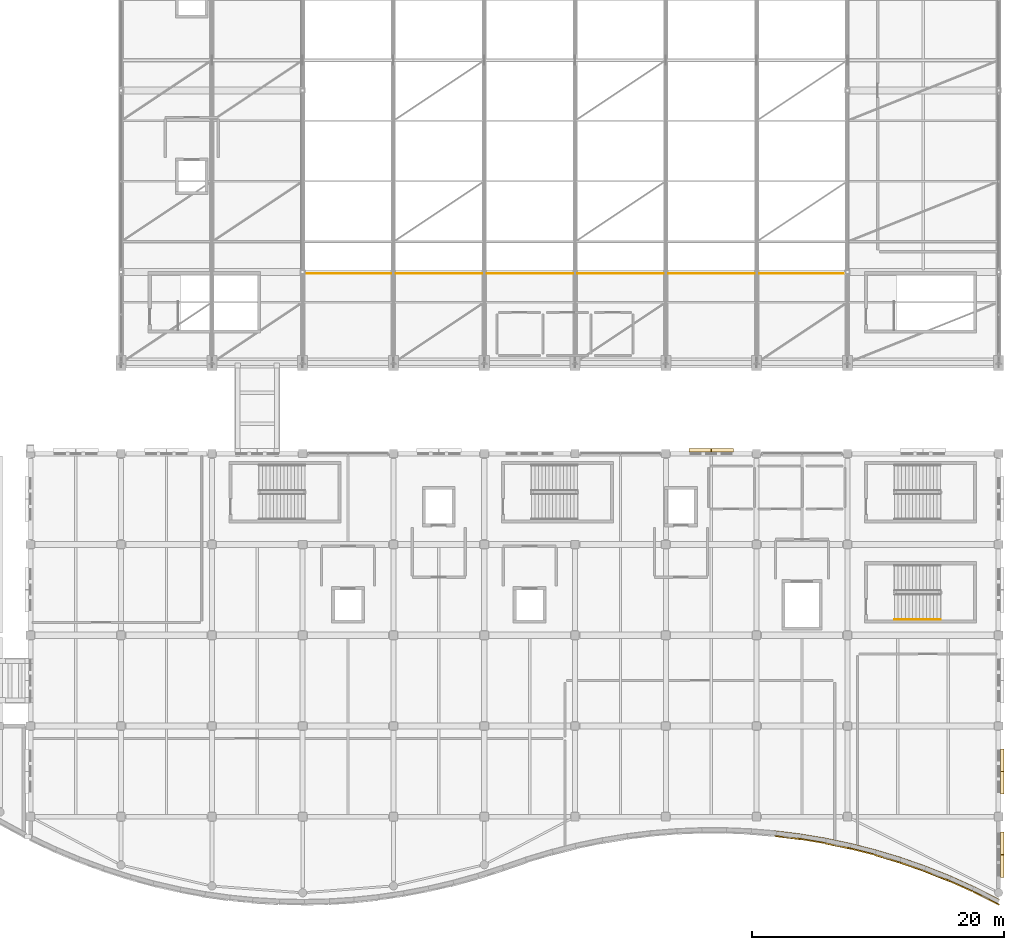
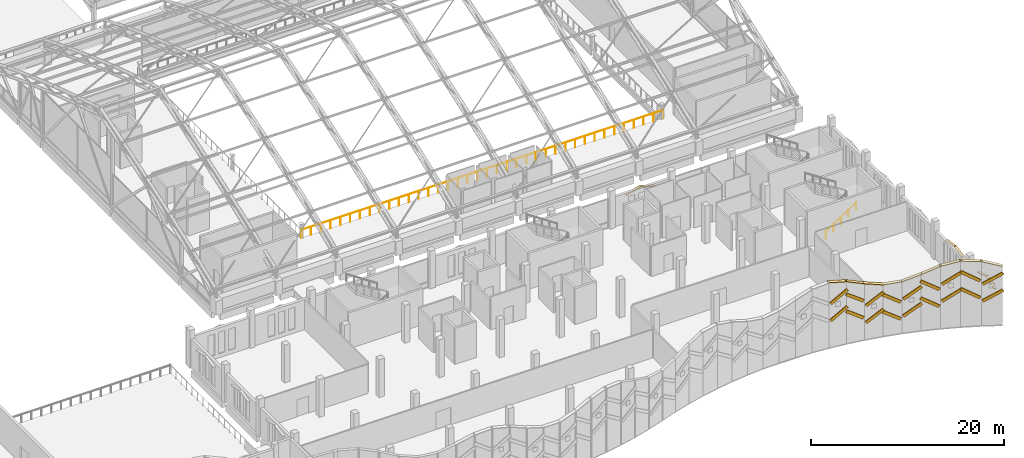
# One storey, part 113 of 116: 33 coverings, 2 railings.
"""IFC4 building model written with IfcOpenShell, lengths in metres."""

from ifc_helpers import new_model, si_unit, direction, frame, origin, origin_2d, place, context, subcontext, project, spatial, polyline, circle, outline, extrude, material, layer, layer_set, type_object, element, save


model = new_model("IFC4")

# Units and contexts
model_context = context("Model", 3, precision=1e-05, world=origin(), true_north=direction((0.0, 1.0)))
body_context = subcontext(model_context, "Body", "Model", "MODEL_VIEW")
ifc_project = project(units=[si_unit("LENGTHUNIT", "METRE"), si_unit("AREAUNIT", "SQUARE_METRE"), si_unit("VOLUMEUNIT", "CUBIC_METRE"), si_unit("PLANEANGLEUNIT", "RADIAN"), si_unit("MASSUNIT", "GRAM", prefix="KILO")], contexts=[model_context])

# Site, building, storey
site_placement = place(None, origin())
site = spatial("IfcSite", under=ifc_project, at=site_placement, CompositionType="ELEMENT")
building_placement = place(site_placement, origin())
building = spatial("IfcBuilding", under=site, at=building_placement, Name="Cendralis Lancet Convention Centre", CompositionType="ELEMENT")
storey_placement = place(building_placement, frame((0.0, 0.0, 15.0)))
storey = spatial("IfcBuildingStorey", under=building, at=storey_placement, Name="L03", CompositionType="ELEMENT", Elevation=15.0)

# Coverings
ifc_material_1 = material(Name="Warm buff sandstone chevron cassette", Category="masonry")
ifc_layer_1 = layer(ifc_material_1, 0.06005859375, Name="Warm buff sandstone chevron cassette")
ifc_layer_set_1 = layer_set([ifc_layer_1], Name="Warm buff sandstone chevron cassette")
covering_type_1 = type_object("IfcCoveringType", Name="ARC-CV-CLAD1", PredefinedType="CLADDING", material=ifc_layer_set_1)
covering_1_placement = place(storey_placement, frame((191.083984375, 5.627197265625, 3.5849609375), z_axis=(-0.559465637372, 0.070168142649, 0.825878097758), x_axis=(0.819559202528, -0.101968410326, 0.563848522963)))
element("IfcCovering", 1, at=covering_1_placement, inside=storey, type_object=covering_type_1, Name="L03 Diagonal Stone Chevron Relief CL-ST1 #0575", PredefinedType="CLADDING", context=body_context, shape_type="SweptSolid", body=[
    extrude(outline(polyline([(0.0, 0.0), (2.3056829080779346, -2.8189256484623115e-17), (2.3057599188019724, 0.10998390168530642), (0.00010190535546519483, 0.10974163853382578), (0.0, 0.0)])), origin(), (0.0, 0.0, -1.0), 0.360107421875),
])
covering_2_placement = place(storey_placement, frame((193.0419921875, 5.382080078125, 4.30810546875), z_axis=(0.553739071072, -0.092808910675, 0.827501992304), x_axis=(0.816245896704, -0.136023421604, -0.561462612191)))
element("IfcCovering", 2, at=covering_2_placement, inside=storey, type_object=covering_type_1, Name="L03 Diagonal Stone Chevron Relief CL-ST1 #0581", PredefinedType="CLADDING", context=body_context, shape_type="SweptSolid", body=[
    extrude(outline(polyline([(0.0, 0.0), (2.315385280804476, -2.461138931542095e-17), (2.315553254349196, 0.1101746546513595), (1.903604510097509e-06, 0.1098936445740039), (0.0, 0.0)])), origin(), (0.0, 0.0, -1.0), 0.360107421875),
])
covering_3_placement = place(storey_placement, frame((194.99951171875, 5.054443359375, 2.3369140625), z_axis=(-0.546008317773, 0.11527530886, 0.829811135193), x_axis=(0.812082723198, -0.170611782132, 0.55804414743)))
element("IfcCovering", 3, at=covering_3_placement, inside=storey, type_object=covering_type_1, Name="L03 Diagonal Stone Chevron Relief CL-ST1 #0587", PredefinedType="CLADDING", context=body_context, shape_type="SweptSolid", body=[
    extrude(outline(polyline([(0.0, 0.0), (2.3296313692475206, 3.241764495731658e-17), (2.329742333387949, 0.10979511505583925), (6.931087330616995e-05, 0.11003402424348298), (0.0, 0.0)])), origin(), (0.0, 0.0, -1.0), 0.360107421875),
])
covering_4_placement = place(storey_placement, frame((196.95849609375, 4.641357421875, 3.343994140625), z_axis=(0.53729207941, -0.13663097552, 0.832255488376), x_axis=(0.806641328387, -0.204887729162, -0.554392267061)))
element("IfcCovering", 4, at=covering_4_placement, inside=storey, type_object=covering_type_1, Name="L03 Diagonal Stone Chevron Relief CL-ST1 #0593", PredefinedType="CLADDING", context=body_context, shape_type="SweptSolid", body=[
    extrude(outline(polyline([(0.0, 0.0), (2.3450231653887803, -4.9087253359281213e-17), (2.3450234705174986, 0.11007737259819028), (5.032654697058672e-05, 0.1098407509559348), (0.0, 0.0)])), origin(), (0.0, 0.0, -1.0), 0.360107421875),
])
covering_5_placement = place(storey_placement, frame((198.916015625, 4.142578125, 2.340087890625), z_axis=(-0.526250486677, 0.158362414972, 0.835453033268), x_axis=(0.800085234298, -0.24051072067, 0.549561835557)))
element("IfcCovering", 5, at=covering_5_placement, inside=storey, type_object=covering_type_1, Name="L03 Diagonal Stone Chevron Relief CL-ST1 #0599", PredefinedType="CLADDING", context=body_context, shape_type="SweptSolid", body=[
    extrude(outline(polyline([(0.0, 0.0), (2.3651654889433535, 9.793056122975319e-17), (2.3651924540627958, 0.11014070544602904), (2.6965119442088487e-05, 0.11014070544602905), (0.0, 0.0)])), origin(), (0.0, 0.0, -1.0), 0.360107421875),
])
covering_6_placement = place(storey_placement, frame((200.873779296875, 3.552490234375, 4.326904296875), z_axis=(0.513915775645, -0.17854350891, 0.839054700821), x_axis=(0.792465197164, -0.275702269755, -0.544047028975)))
element("IfcCovering", 6, at=covering_6_placement, inside=storey, type_object=covering_type_1, Name="L03 Diagonal Stone Chevron Relief CL-ST1 #0605", PredefinedType="CLADDING", context=body_context, shape_type="SweptSolid", body=[
    extrude(outline(polyline([(0.0, 0.0), (2.38914031007446, 9.128982292327947e-17), (2.3891001934398717, 0.11010173043633141), (-4.011663458804854e-05, 0.11010173043633134), (0.0, 0.0)])), origin(), (0.0, 0.0, -1.0), 0.360107421875),
])
covering_7_placement = place(storey_placement, frame((202.831298828125, 2.8701171875, 3.635986328125), z_axis=(-0.499371348578, 0.198674622553, 0.843301043858), x_axis=(0.783631047335, -0.311575097572, 0.537441476094)))
element("IfcCovering", 7, at=covering_7_placement, inside=storey, type_object=covering_type_1, Name="L03 Diagonal Stone Chevron Relief CL-ST1 #0611", PredefinedType="CLADDING", context=body_context, shape_type="SweptSolid", body=[
    extrude(outline(polyline([(0.0, 0.0), (2.4189012787871182, -1.2891163830852648e-16), (2.4189785295250257, 0.11012065049088536), (-3.7997296702688144e-05, 0.10980357350300812), (0.0, 0.0)])), origin(), (0.0, 0.0, -1.0), 0.360107421875),
])
covering_8_placement = place(storey_placement, frame((204.78955078125, 2.090087890625, 5.051025390625), z_axis=(0.483255135608, -0.217788550761, 0.84795791232), x_axis=(0.773127580501, -0.348290639512, -0.530063557224)))
element("IfcCovering", 8, at=covering_8_placement, inside=storey, type_object=covering_type_1, Name="L03 Diagonal Stone Chevron Relief CL-ST1 #0617", PredefinedType="CLADDING", context=body_context, shape_type="SweptSolid", body=[
    extrude(outline(polyline([(0.0, 0.0), (2.452670729399832, -1.7509865085640897e-16), (2.452641713177549, 0.11003837339224269), (5.6015672128650884e-05, 0.10981578169660179), (0.0, 0.0)])), origin(), (0.0, 0.0, -1.0), 0.360107421875),
])
covering_9_placement = place(storey_placement, frame((206.7470703125, 1.20654296875, 3.31396484375), z_axis=(-0.465288690194, 0.235537931479, 0.853245754523), x_axis=(0.761197332225, -0.385495713068, 0.521509037908)))
element("IfcCovering", 9, at=covering_9_placement, inside=storey, type_object=covering_type_1, Name="L03 Diagonal Stone Chevron Relief CL-ST1 #0623", PredefinedType="CLADDING", context=body_context, shape_type="SweptSolid", body=[
    extrude(outline(polyline([(0.0, 0.0), (2.4927667039913324, 4.434386885465713e-17), (2.492843603190642, 0.11005837892574348), (-0.00010893999312787395, 0.10994808650860496), (0.0, 0.0)])), origin(), (0.0, 0.0, -1.0), 0.360107421875),
])
for number, where, z_axis, x_axis, name in (
    (10, (184.239990234375, 36.419921875, 3.27001953125), (-0.267005870064, 0.0, 0.963694902628), (0.0, -1.0, 0.0), "L03 Gothic Pointed Lancet Hood-Mould #0383L"),
    (11, (186.010009765625, 36.419921875, 3.7548828125), (0.267005870064, 0.0, 0.963694902628), (0.0, -1.0, 0.0), "L03 Gothic Pointed Lancet Hood-Mould #0384R"),
):
    element("IfcCovering", number, at=place(storey_placement, frame(where, z_axis=z_axis, x_axis=x_axis)), inside=storey, type_object=covering_type_1, Name=name, PredefinedType="CLADDING", context=body_context, shape_type="SweptSolid", body=[
        extrude(outline(polyline([(0.0, 0.0), (0.284912109375, 0.0), (0.284912109375, 1.8159274218714019), (0.0, 1.8159274218714019), (0.0, 0.0)])), origin(), (0.0, 0.0, -1.0), 0.090087890625),
    ])
for number, where, z_axis, x_axis, name in (
    (12, (209.219970703125, 12.580078125, 3.27001953125), (0.0, 0.148006919049, 0.988986325443), (-1.0, 0.0, 0.0), "L03 Gothic Pointed Lancet Hood-Mould #0387L"),
    (13, (209.219970703125, 10.7900390625, 3.534912109375), (0.0, -0.148006919049, 0.988986325443), (-1.0, 0.0, 0.0), "L03 Gothic Pointed Lancet Hood-Mould #0388R"),
):
    element("IfcCovering", number, at=place(storey_placement, frame(where, z_axis=z_axis, x_axis=x_axis)), inside=storey, type_object=covering_type_1, Name=name, PredefinedType="CLADDING", context=body_context, shape_type="SweptSolid", body=[
        extrude(outline(polyline([(0.0, 0.0), (0.284912109375, 0.0), (0.284912109375, 1.7897310465408425), (0.0, 1.7897310465408425), (0.0, 0.0)])), origin(), (0.0, 0.0, -1.0), 0.090087890625),
    ])
for number, where, z_axis, x_axis, name in (
    (14, (209.219970703125, 6.011962890625, 3.219970703125), (0.0, 0.302736690326, 0.953074234428), (-1.0, 0.0, 0.0), "L03 Gothic Pointed Lancet Hood-Mould #0389L"),
    (15, (209.219970703125, 4.181884765625, 3.794921875), (0.0, -0.302736690326, 0.953074234428), (-1.0, 0.0, 0.0), "L03 Gothic Pointed Lancet Hood-Mould #0390R"),
):
    element("IfcCovering", number, at=place(storey_placement, frame(where, z_axis=z_axis, x_axis=x_axis)), inside=storey, type_object=covering_type_1, Name=name, PredefinedType="CLADDING", context=body_context, shape_type="SweptSolid", body=[
        extrude(outline(polyline([(0.0, 0.0), (0.284912109375, 0.0), (0.284912109375, 1.8991790233805408), (0.0, 1.8991790233805408), (0.0, 0.0)])), origin(), (0.0, 0.0, -1.0), 0.090087890625),
    ])
ifc_material_2 = material(Name="Dark Andean slate chevron cassette", Category="masonry")
ifc_layer_2 = layer(ifc_material_2, 0.06005859375, Name="Dark Andean slate chevron cassette")
ifc_layer_set_2 = layer_set([ifc_layer_2], Name="Dark Andean slate chevron cassette")
covering_type_2 = type_object("IfcCoveringType", Name="ARC-CV-CLAD2", PredefinedType="CLADDING", material=ifc_layer_set_2)
covering_10_placement = place(storey_placement, frame((190.965576171875, 5.687255859375, 8.307861328125), z_axis=(0.196668056765, -0.024482695994, 0.980164411232), x_axis=(0.97265516459, -0.121095845707, -0.198186091714)))
element("IfcCovering", 16, at=covering_10_placement, inside=storey, type_object=covering_type_2, Name="Wave Ribbon Sinusoidal Slate Coping E-030", PredefinedType="CLADDING", context=body_context, shape_type="SweptSolid", body=[
    extrude(outline(polyline([(0.0, 0.0), (2.197547467144536, 9.534202854294405e-18), (2.197660978237455, 0.4199799093311747), (-0.00012395354687352172, 0.4199497467412959), (0.0, 0.0)])), origin(), (0.0, 0.0, -1.0), 0.06005859375),
])
covering_11_placement = place(storey_placement, frame((191.083984375, 5.627197265625, 5.735107421875), z_axis=(-0.559393969486, 0.070159154068, 0.825927406013), x_axis=(0.819608133487, -0.101974498248, 0.563776293604)))
element("IfcCovering", 17, at=covering_11_placement, inside=storey, type_object=covering_type_2, Name="L03 Diagonal Stone Chevron Relief CL-ST2 #0576", PredefinedType="CLADDING", context=body_context, shape_type="SweptSolid", body=[
    extrude(outline(polyline([(0.0, 0.0), (2.3055452593129733, 1.8214596497756474e-17), (2.3056222746348007, 0.10998390168217241), (0.00010191143956398384, 0.10974163852826156), (0.0, 0.0)])), origin(), (0.0, 0.0, -1.0), 0.360107421875),
])
covering_12_placement = place(storey_placement, frame((192.926025390625, 5.447021484375, 7.92919921875), z_axis=(0.353531463179, -0.05885246809, 0.933569435844), x_axis=(0.920878592195, -0.153409620011, -0.358396577725)))
element("IfcCovering", 18, at=covering_12_placement, inside=storey, type_object=covering_type_2, Name="Wave Ribbon Sinusoidal Slate Coping E-031", PredefinedType="CLADDING", context=body_context, shape_type="SweptSolid", body=[
    extrude(outline(polyline([(0.0, 0.0), (2.3202879415523032, 7.641592436949396e-17), (2.3201296500092092, 0.4199880537806574), (6.653233195309805e-05, 0.4200281687844565), (0.0, 0.0)])), origin(), (0.0, 0.0, -1.0), 0.06005859375),
])
covering_13_placement = place(storey_placement, frame((193.0419921875, 5.382080078125, 6.4580078125), z_axis=(0.553739071072, -0.092808910675, 0.827501992304), x_axis=(0.816245896704, -0.136023421604, -0.561462612191)))
element("IfcCovering", 19, at=covering_13_placement, inside=storey, type_object=covering_type_2, Name="L03 Diagonal Stone Chevron Relief CL-ST2 #0582", PredefinedType="CLADDING", context=body_context, shape_type="SweptSolid", body=[
    extrude(outline(polyline([(0.0, 0.0), (2.315385280804476, -2.461138931542095e-17), (2.315553254349196, 0.1101746546513595), (1.903604510097509e-06, 0.1098936445740039), (0.0, 0.0)])), origin(), (0.0, 0.0, -1.0), 0.360107421875),
])
covering_14_placement = place(storey_placement, frame((194.88671875, 5.124267578125, 7.16357421875), z_axis=(0.276537082178, -0.058084289097, 0.9592462966), x_axis=(0.938737363151, -0.197295772134, -0.282571303078)))
element("IfcCovering", 20, at=covering_14_placement, inside=storey, type_object=covering_type_2, Name="Wave Ribbon Sinusoidal Slate Coping E-032", PredefinedType="CLADDING", context=body_context, shape_type="SweptSolid", body=[
    extrude(outline(polyline([(0.0, 0.0), (2.275652261921192, 8.746462213347905e-17), (2.2757167741413014, 0.41987963875200585), (-0.00016467170644052231, 0.4198294267910651), (0.0, 0.0)])), origin(), (0.0, 0.0, -1.0), 0.06005859375),
])
covering_15_placement = place(storey_placement, frame((194.99951171875, 5.054443359375, 4.487060546875), z_axis=(-0.546008317773, 0.11527530886, 0.829811135193), x_axis=(0.812082723198, -0.170611782132, 0.55804414743)))
element("IfcCovering", 21, at=covering_15_placement, inside=storey, type_object=covering_type_2, Name="L03 Diagonal Stone Chevron Relief CL-ST2 #0588", PredefinedType="CLADDING", context=body_context, shape_type="SweptSolid", body=[
    extrude(outline(polyline([(0.0, 0.0), (2.3296313692475206, 3.241764495731658e-17), (2.329742333387949, 0.10979511505583925), (6.931087330616995e-05, 0.11003402424348298), (0.0, 0.0)])), origin(), (0.0, 0.0, -1.0), 0.360107421875),
])
covering_16_placement = place(storey_placement, frame((196.848388671875, 4.7158203125, 6.54931640625), z_axis=(0.000107475002, -2.7303937e-05, 0.999999993852), x_axis=(0.9692290836, -0.246160458253, -0.000110889048)))
element("IfcCovering", 22, at=covering_16_placement, inside=storey, type_object=covering_type_2, Name="Wave Ribbon Sinusoidal Slate Coping E-033", PredefinedType="CLADDING", context=body_context, shape_type="SweptSolid", body=[
    extrude(outline(polyline([(0.0, 0.0), (2.2017841181541002, -1.0900689923390674e-16), (2.2016948648471097, 0.41988055829497906), (0.0001473748872478503, 0.4199406560634771), (0.0, 0.0)])), origin(), (0.0, 0.0, -1.0), 0.06005859375),
])
covering_17_placement = place(storey_placement, frame((196.95849609375, 4.641357421875, 5.493896484375), z_axis=(0.537222185109, -0.136613201712, 0.83230352453), x_axis=(0.806687886139, -0.204899554879, -0.55432014826)))
element("IfcCovering", 23, at=covering_17_placement, inside=storey, type_object=covering_type_2, Name="L03 Diagonal Stone Chevron Relief CL-ST2 #0594", PredefinedType="CLADDING", context=body_context, shape_type="SweptSolid", body=[
    extrude(outline(polyline([(0.0, 0.0), (2.344887825962657, 1.1460016963171782e-16), (2.3448881311089553, 0.11007737259851913), (5.03294516887888e-05, 0.1098407509549333), (0.0, 0.0)])), origin(), (0.0, 0.0, -1.0), 0.360107421875),
])
covering_18_placement = place(storey_placement, frame((198.809326171875, 4.2216796875, 6.520751953125), z_axis=(-0.268114340747, 0.080556357311, 0.960013215317), x_axis=(0.919369262568, -0.276379330351, 0.279954683475)))
element("IfcCovering", 24, at=covering_18_placement, inside=storey, type_object=covering_type_2, Name="Wave Ribbon Sinusoidal Slate Coping E-034", PredefinedType="CLADDING", context=body_context, shape_type="SweptSolid", body=[
    extrude(outline(polyline([(0.0, 0.0), (2.318805577704268, 1.0555046962325287e-16), (2.3187789731837176, 0.41986750665075145), (-9.407994299912015e-05, 0.42010131195036565), (0.0, 0.0)])), origin(), (0.0, 0.0, -1.0), 0.06005859375),
])
covering_19_placement = place(storey_placement, frame((198.916015625, 4.142578125, 4.489990234375), z_axis=(-0.526319472776, 0.158383174678, 0.835405639528), x_axis=(0.800039846912, -0.240497076933, 0.54963387754)))
element("IfcCovering", 25, at=covering_19_placement, inside=storey, type_object=covering_type_2, Name="L03 Diagonal Stone Chevron Relief CL-ST2 #0600", PredefinedType="CLADDING", context=body_context, shape_type="SweptSolid", body=[
    extrude(outline(polyline([(0.0, 0.0), (2.3652996681077996, 1.0397498834135988e-16), (2.3653266316975596, 0.11014070544640357), (2.69635897597216e-05, 0.11014070544640354), (0.0, 0.0)])), origin(), (0.0, 0.0, -1.0), 0.360107421875),
])
covering_20_placement = place(storey_placement, frame((200.7705078125, 3.635986328125, 7.104736328125), z_axis=(-0.334870554925, 0.116534953114, 0.935030115101), x_axis=(0.883124753063, -0.307200241679, 0.354568303772)))
element("IfcCovering", 26, at=covering_20_placement, inside=storey, type_object=covering_type_2, Name="Wave Ribbon Sinusoidal Slate Coping E-035", PredefinedType="CLADDING", context=body_context, shape_type="SweptSolid", body=[
    extrude(outline(polyline([(0.0, 0.0), (2.411220173163878, -6.3696877633523385e-18), (2.411378429390783, 0.4201049797082354), (-5.735040226052812e-05, 0.42002476460130367), (0.0, 0.0)])), origin(), (0.0, 0.0, -1.0), 0.06005859375),
])
covering_21_placement = place(storey_placement, frame((200.873779296875, 3.552490234375, 6.47705078125), z_axis=(0.513983727018, -0.178567116429, 0.839008053174), x_axis=(0.792421139689, -0.275686941957, -0.54411896439)))
element("IfcCovering", 27, at=covering_21_placement, inside=storey, type_object=covering_type_2, Name="L03 Diagonal Stone Chevron Relief CL-ST2 #0606", PredefinedType="CLADDING", context=body_context, shape_type="SweptSolid", body=[
    extrude(outline(polyline([(0.0, 0.0), (2.389273142837566, -4.7488055154865094e-17), (2.3892330284332814, 0.11010173043714395), (-4.011440428489804e-05, 0.11010173043714397), (0.0, 0.0)])), origin(), (0.0, 0.0, -1.0), 0.360107421875),
])
covering_22_placement = place(storey_placement, frame((202.731689453125, 2.9580078125, 7.903076171875), z_axis=(-0.188945569601, 0.075176341737, 0.979105760054), x_axis=(0.909880982204, -0.361614011613, 0.203351677713)))
element("IfcCovering", 28, at=covering_22_placement, inside=storey, type_object=covering_type_2, Name="Wave Ribbon Sinusoidal Slate Coping E-036", PredefinedType="CLADDING", context=body_context, shape_type="SweptSolid", body=[
    extrude(outline(polyline([(0.0, 0.0), (2.3386920520757224, 2.72405795836983e-17), (2.338893495953765, 0.4199005347058198), (0.00011315920723903306, 0.42012741266217096), (0.0, 0.0)])), origin(), (0.0, 0.0, -1.0), 0.06005859375),
])
covering_23_placement = place(storey_placement, frame((202.831298828125, 2.8701171875, 5.785888671875), z_axis=(-0.499371348578, 0.198674622553, 0.843301043858), x_axis=(0.783631047335, -0.311575097572, 0.537441476094)))
element("IfcCovering", 29, at=covering_23_placement, inside=storey, type_object=covering_type_2, Name="L03 Diagonal Stone Chevron Relief CL-ST2 #0612", PredefinedType="CLADDING", context=body_context, shape_type="SweptSolid", body=[
    extrude(outline(polyline([(0.0, 0.0), (2.4189012787871182, -1.2891163830852648e-16), (2.4189785295250257, 0.11012065049088536), (-3.7997296702688144e-05, 0.10980357350300812), (0.0, 0.0)])), origin(), (0.0, 0.0, -1.0), 0.360107421875),
])
covering_24_placement = place(storey_placement, frame((204.694091796875, 2.182373046875, 8.368408203125), z_axis=(0.08778644854, -0.039554289473, 0.995353704789), x_axis=(0.907528237301, -0.408804961102, -0.096286044057)))
element("IfcCovering", 30, at=covering_24_placement, inside=storey, type_object=covering_type_2, Name="Wave Ribbon Sinusoidal Slate Coping E-037", PredefinedType="CLADDING", context=body_context, shape_type="SweptSolid", body=[
    extrude(outline(polyline([(0.0, 0.0), (2.340447833432632, 4.359339766338982e-17), (2.340376729069185, 0.4198267567805211), (0.00015046014761255222, 0.4199270287674908), (0.0, 0.0)])), origin(), (0.0, 0.0, -1.0), 0.06005859375),
])
covering_25_placement = place(storey_placement, frame((204.78955078125, 2.090087890625, 7.200927734375), z_axis=(0.483255135608, -0.217788550761, 0.84795791232), x_axis=(0.773127580501, -0.348290639512, -0.530063557224)))
element("IfcCovering", 31, at=covering_25_placement, inside=storey, type_object=covering_type_2, Name="L03 Diagonal Stone Chevron Relief CL-ST2 #0618", PredefinedType="CLADDING", context=body_context, shape_type="SweptSolid", body=[
    extrude(outline(polyline([(0.0, 0.0), (2.452670729399832, -1.7509865085640897e-16), (2.452641713177549, 0.11003837339224269), (5.6015672128650884e-05, 0.10981578169660179), (0.0, 0.0)])), origin(), (0.0, 0.0, -1.0), 0.360107421875),
])
covering_26_placement = place(storey_placement, frame((206.65576171875, 1.302978515625, 8.183837890625), z_axis=(0.270336214849, -0.136841198005, 0.952991509653), x_axis=(0.850218715297, -0.430489203865, -0.302996999184)))
element("IfcCovering", 32, at=covering_26_placement, inside=storey, type_object=covering_type_2, Name="Wave Ribbon Sinusoidal Slate Coping E-038", PredefinedType="CLADDING", context=body_context, shape_type="SweptSolid", body=[
    extrude(outline(polyline([(0.0, 0.0), (2.4051715613971747, -3.229906034470098e-17), (2.4051273753260687, 0.42003214730433164), (-4.418607110620587e-05, 0.42003214730433164), (0.0, 0.0)])), origin(), (0.0, 0.0, -1.0), 0.06005859375),
])
covering_27_placement = place(storey_placement, frame((206.7470703125, 1.20654296875, 5.464111328125), z_axis=(-0.465225071547, 0.235505726517, 0.853289332865), x_axis=(0.76123620932, -0.385515401727, 0.521437732286)))
element("IfcCovering", 33, at=covering_27_placement, inside=storey, type_object=covering_type_2, Name="L03 Diagonal Stone Chevron Relief CL-ST2 #0624", PredefinedType="CLADDING", context=body_context, shape_type="SweptSolid", body=[
    extrude(outline(polyline([(0.0, 0.0), (2.492639386406802, 3.604972223514302e-17), (2.4927162895335706, 0.1100583789270068), (-0.00010894555714757032, 0.10994808650710336), (0.0, 0.0)])), origin(), (0.0, 0.0, -1.0), 0.360107421875),
])

# Railings
ifc_material_3 = material(Name="Steel S355", Category="steel")
railing_type_1 = type_object("IfcRailingType", Name="ARC-RL-CHR", PredefinedType="HANDRAIL", material=ifc_material_3)
railing_1_placement = place(storey_placement, frame((200.550048828125, 22.85009765625, 0.17138671875)))
element("IfcRailing", 34, at=railing_1_placement, inside=storey, type_object=railing_type_1, Name="L03 ST-15 stair handrail 1", PredefinedType="HANDRAIL", context=body_context, shape_type="SweptSolid", body=[
    extrude(circle(Radius=0.02392578125, at=origin_2d()), frame((0.0, 0.0, 0.8759765625), z_axis=(0.834839479206, 0.0, 0.550493454965), x_axis=(0.0, 1.0, 0.0)), (0.0, 0.0, 1.0), 4.360107421875),
    extrude(circle(Radius=0.02099609375, at=origin_2d()), origin(), (0.0, 0.0, 1.0), 0.851806640625),
    extrude(circle(Radius=0.02099609375, at=origin_2d()), frame((0.909912109375, 0.0, 0.60009765625)), (0.0, 0.0, 1.0), 0.851806640625),
    extrude(circle(Radius=0.02099609375, at=origin_2d()), frame((1.81982421875, 0.0, 1.2001953125)), (0.0, 0.0, 1.0), 0.851806640625),
    extrude(circle(Radius=0.02099609375, at=origin_2d()), frame((2.72998046875, 0.0, 1.800048828125)), (0.0, 0.0, 1.0), 0.851806640625),
    extrude(circle(Radius=0.02099609375, at=origin_2d()), frame((3.639892578125, 0.0, 2.400146484375)), (0.0, 0.0, 1.0), 0.851806640625),
])
railing_type_2 = type_object("IfcRailingType", Name="ARC-RL-IG01", PredefinedType="GUARDRAIL", material=ifc_material_3)
railing_2_placement = place(storey_placement, frame((153.5, 50.300048828125, 0.0)))
element("IfcRailing", 35, at=railing_2_placement, inside=storey, type_object=railing_type_2, Name="L03 Atrium Void Guardrail GD-IN1 #013", PredefinedType="GUARDRAIL", context=body_context, shape_type="SweptSolid", body=[
    extrude(circle(Radius=0.02392578125, at=origin_2d()), frame((0.0, 0.0, 1.076171875), z_axis=(1.0, 0.0, 0.0), x_axis=(0.0, 1.0, 0.0)), (0.0, 0.0, 1.0), 43.39990234375),
    extrude(circle(Radius=0.02099609375, at=origin_2d()), origin(), (0.0, 0.0, 1.0), 1.052001953125),
    extrude(circle(Radius=0.02099609375, at=origin_2d()), frame((1.1728515625, 0.0, 0.0)), (0.0, 0.0, 1.0), 1.052001953125),
    extrude(circle(Radius=0.02099609375, at=origin_2d()), frame((2.345947265625, 0.0, 0.0)), (0.0, 0.0, 1.0), 1.052001953125),
    extrude(circle(Radius=0.02099609375, at=origin_2d()), frame((3.518798828125, 0.0, 0.0)), (0.0, 0.0, 1.0), 1.052001953125),
    extrude(circle(Radius=0.02099609375, at=origin_2d()), frame((4.69189453125, 0.0, 0.0)), (0.0, 0.0, 1.0), 1.052001953125),
    extrude(circle(Radius=0.02099609375, at=origin_2d()), frame((5.86474609375, 0.0, 0.0)), (0.0, 0.0, 1.0), 1.052001953125),
    extrude(circle(Radius=0.02099609375, at=origin_2d()), frame((7.037841796875, 0.0, 0.0)), (0.0, 0.0, 1.0), 1.052001953125),
    extrude(circle(Radius=0.02099609375, at=origin_2d()), frame((8.210693359375, 0.0, 0.0)), (0.0, 0.0, 1.0), 1.052001953125),
    extrude(circle(Radius=0.02099609375, at=origin_2d()), frame((9.3837890625, 0.0, 0.0)), (0.0, 0.0, 1.0), 1.052001953125),
    extrude(circle(Radius=0.02099609375, at=origin_2d()), frame((10.556640625, 0.0, 0.0)), (0.0, 0.0, 1.0), 1.052001953125),
    extrude(circle(Radius=0.02099609375, at=origin_2d()), frame((11.729736328125, 0.0, 0.0)), (0.0, 0.0, 1.0), 1.052001953125),
    extrude(circle(Radius=0.02099609375, at=origin_2d()), frame((12.902587890625, 0.0, 0.0)), (0.0, 0.0, 1.0), 1.052001953125),
    extrude(circle(Radius=0.02099609375, at=origin_2d()), frame((14.07568359375, 0.0, 0.0)), (0.0, 0.0, 1.0), 1.052001953125),
    extrude(circle(Radius=0.02099609375, at=origin_2d()), frame((15.24853515625, 0.0, 0.0)), (0.0, 0.0, 1.0), 1.052001953125),
    extrude(circle(Radius=0.02099609375, at=origin_2d()), frame((16.421630859375, 0.0, 0.0)), (0.0, 0.0, 1.0), 1.052001953125),
    extrude(circle(Radius=0.02099609375, at=origin_2d()), frame((17.594482421875, 0.0, 0.0)), (0.0, 0.0, 1.0), 1.052001953125),
    extrude(circle(Radius=0.02099609375, at=origin_2d()), frame((18.767578125, 0.0, 0.0)), (0.0, 0.0, 1.0), 1.052001953125),
    extrude(circle(Radius=0.02099609375, at=origin_2d()), frame((19.9404296875, 0.0, 0.0)), (0.0, 0.0, 1.0), 1.052001953125),
    extrude(circle(Radius=0.02099609375, at=origin_2d()), frame((21.113525390625, 0.0, 0.0)), (0.0, 0.0, 1.0), 1.052001953125),
    extrude(circle(Radius=0.02099609375, at=origin_2d()), frame((22.286376953125, 0.0, 0.0)), (0.0, 0.0, 1.0), 1.052001953125),
    extrude(circle(Radius=0.02099609375, at=origin_2d()), frame((23.45947265625, 0.0, 0.0)), (0.0, 0.0, 1.0), 1.052001953125),
    extrude(circle(Radius=0.02099609375, at=origin_2d()), frame((24.63232421875, 0.0, 0.0)), (0.0, 0.0, 1.0), 1.052001953125),
    extrude(circle(Radius=0.02099609375, at=origin_2d()), frame((25.805419921875, 0.0, 0.0)), (0.0, 0.0, 1.0), 1.052001953125),
    extrude(circle(Radius=0.02099609375, at=origin_2d()), frame((26.978271484375, 0.0, 0.0)), (0.0, 0.0, 1.0), 1.052001953125),
    extrude(circle(Radius=0.02099609375, at=origin_2d()), frame((28.1513671875, 0.0, 0.0)), (0.0, 0.0, 1.0), 1.052001953125),
    extrude(circle(Radius=0.02099609375, at=origin_2d()), frame((29.32421875, 0.0, 0.0)), (0.0, 0.0, 1.0), 1.052001953125),
    extrude(circle(Radius=0.02099609375, at=origin_2d()), frame((30.497314453125, 0.0, 0.0)), (0.0, 0.0, 1.0), 1.052001953125),
    extrude(circle(Radius=0.02099609375, at=origin_2d()), frame((31.670166015625, 0.0, 0.0)), (0.0, 0.0, 1.0), 1.052001953125),
    extrude(circle(Radius=0.02099609375, at=origin_2d()), frame((32.84326171875, 0.0, 0.0)), (0.0, 0.0, 1.0), 1.052001953125),
    extrude(circle(Radius=0.02099609375, at=origin_2d()), frame((34.01611328125, 0.0, 0.0)), (0.0, 0.0, 1.0), 1.052001953125),
    extrude(circle(Radius=0.02099609375, at=origin_2d()), frame((35.189208984375, 0.0, 0.0)), (0.0, 0.0, 1.0), 1.052001953125),
    extrude(circle(Radius=0.02099609375, at=origin_2d()), frame((36.362060546875, 0.0, 0.0)), (0.0, 0.0, 1.0), 1.052001953125),
    extrude(circle(Radius=0.02099609375, at=origin_2d()), frame((37.53515625, 0.0, 0.0)), (0.0, 0.0, 1.0), 1.052001953125),
    extrude(circle(Radius=0.02099609375, at=origin_2d()), frame((38.7080078125, 0.0, 0.0)), (0.0, 0.0, 1.0), 1.052001953125),
    extrude(circle(Radius=0.02099609375, at=origin_2d()), frame((39.881103515625, 0.0, 0.0)), (0.0, 0.0, 1.0), 1.052001953125),
    extrude(circle(Radius=0.02099609375, at=origin_2d()), frame((41.053955078125, 0.0, 0.0)), (0.0, 0.0, 1.0), 1.052001953125),
    extrude(circle(Radius=0.02099609375, at=origin_2d()), frame((42.22705078125, 0.0, 0.0)), (0.0, 0.0, 1.0), 1.052001953125),
    extrude(circle(Radius=0.02099609375, at=origin_2d()), frame((43.39990234375, 0.0, 0.0)), (0.0, 0.0, 1.0), 1.052001953125),
])

save(model, "model.ifc")
